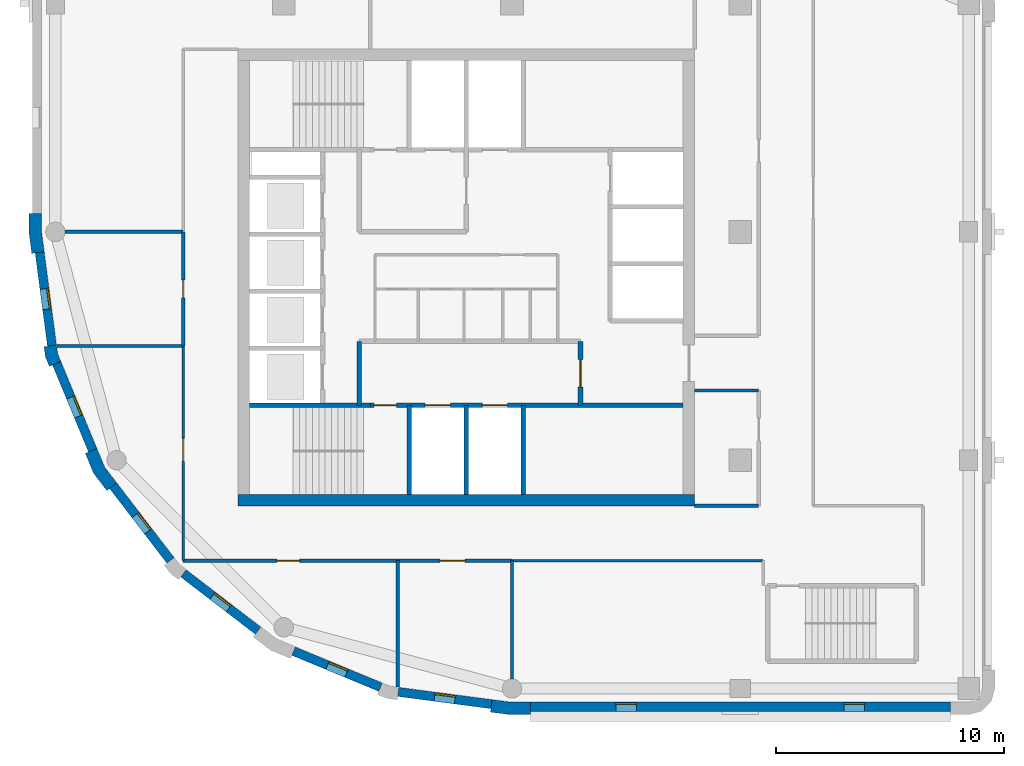
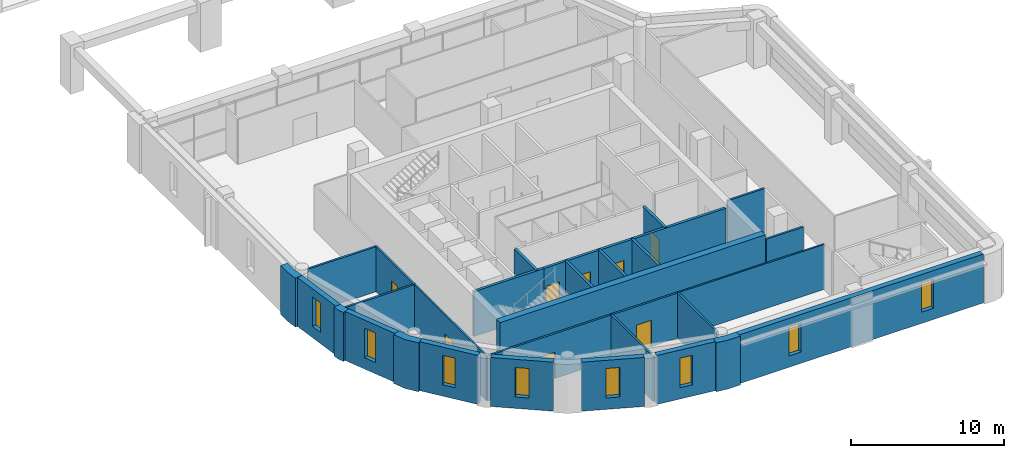
# One storey, part 5 of 11: 29 walls, 8 doors, 8 windows, 16 openings.
"""IFC4 building model written with IfcOpenShell, lengths in metres."""

from ifc_helpers import new_model, si_unit, direction, frame, frame_2d, origin, place, context, subcontext, project, spatial, polyline, rectangle, outline, extrude, material, layer, layer_set, type_object, element, fill, save


model = new_model("IFC4")

# Units and contexts
model_context = context("Model", 3, precision=1e-05, world=origin(), true_north=direction((0.0, 1.0)))
body_context = subcontext(model_context, "Body", "Model", "MODEL_VIEW")
ifc_project = project(units=[si_unit("LENGTHUNIT", "METRE"), si_unit("AREAUNIT", "SQUARE_METRE"), si_unit("VOLUMEUNIT", "CUBIC_METRE"), si_unit("PLANEANGLEUNIT", "RADIAN"), si_unit("MASSUNIT", "GRAM", prefix="KILO")], contexts=[model_context])

# Site, building, storey
site_placement = place(None, origin())
site = spatial("IfcSite", under=ifc_project, at=site_placement, CompositionType="ELEMENT")
building_placement = place(site_placement, origin())
building = spatial("IfcBuilding", under=site, at=building_placement, Name="Qaws Garden Tower", CompositionType="ELEMENT")
storey_placement = place(building_placement, frame((0.0, 0.0, 321.60009765625)))
storey = spatial("IfcBuildingStorey", under=building, at=storey_placement, Name="L78", CompositionType="ELEMENT", Elevation=321.60009765625)

# Wall, openings, windows
ifc_material_1 = material(Name="Clay facing brick masonry", Category="masonry")
ifc_layer_1 = layer(ifc_material_1, 0.39990234375)
ifc_layer_set_1 = layer_set([ifc_layer_1], Name="Clay facing brick masonry")
wall_type_1 = type_object("IfcWallType", Name="Brick infill wall 400", PredefinedType="SOLIDWALL", material=ifc_layer_set_1)
wall_1_placement = place(storey_placement, frame((20.800048828125, -0.800048828125, 0.0), z_axis=(0.0, 0.0, 1.0), x_axis=(1.0, 0.0, 0.0)))
wall_1 = element("IfcWall", 1, at=wall_1_placement, inside=storey, type_object=wall_type_1, Name="E-L78-infill-00", PredefinedType="SOLIDWALL", context=body_context, shape_type="SweptSolid", body=[
    extrude(rectangle(XDim=18.39990234375, YDim=0.39990234375, at=frame_2d((9.199951171875, 0.0))), origin(), (0.0, 0.0, 1.0), 3.89990234375),
])
opening_1_placement = place(wall_1_placement, frame((3.75, 0.0, 0.89990234375)))
opening_1 = element("IfcOpeningElement", 2, at=opening_1_placement, cuts=wall_1, Name="Opening W09", PredefinedType="OPENING", context=body_context, shape_type="SweptSolid", body=[
    extrude(rectangle(XDim=0.89990234375, YDim=2.35009765625, at=frame_2d((0.449951171875, 1.175048828125))), frame((0.0, 0.2099609375, 0.0), z_axis=(0.0, -1.0, 0.0), x_axis=(1.0, 0.0, 0.0)), (0.0, 0.0, 1.0), 0.419921875),
])
opening_2_placement = place(wall_1_placement, frame((13.75, 0.0, 0.89990234375)))
opening_2 = element("IfcOpeningElement", 3, at=opening_2_placement, cuts=wall_1, Name="Opening W09", PredefinedType="OPENING", context=body_context, shape_type="SweptSolid", body=[
    extrude(rectangle(XDim=0.89990234375, YDim=2.35009765625, at=frame_2d((0.449951171875, 1.175048828125))), frame((0.0, 0.2099609375, 0.0), z_axis=(0.0, -1.0, 0.0), x_axis=(1.0, 0.0, 0.0)), (0.0, 0.0, 1.0), 0.419921875),
])
ifc_material_2 = material(Name="Aluminium framed window, clear glazing", Category="aluminium")
window_type = type_object("IfcWindowType", Name="Slit window 900 x 2350", PartitioningType="SINGLE_PANEL", PredefinedType="WINDOW", material=ifc_material_2)
window_1_placement = place(opening_1_placement, origin())
window_1 = element("IfcWindow", 4, at=window_1_placement, inside=storey, type_object=window_type, Name="E-L78-window-00-0", OverallHeight=2.35009765625, OverallWidth=0.89990234375, PartitioningType="SINGLE_PANEL", PredefinedType="WINDOW", context=body_context, shape_type="SweptSolid", body=[
    extrude(rectangle(XDim=0.89990234375, YDim=2.35009765625, at=frame_2d((0.449951171875, 1.175048828125))), frame((0.0, 0.159912109375, 0.0), z_axis=(0.0, -1.0, 0.0), x_axis=(1.0, 0.0, 0.0)), (0.0, 0.0, 1.0), 0.06005859375),
])
fill(opening_1, window_1)
window_2_placement = place(opening_2_placement, origin())
window_2 = element("IfcWindow", 5, at=window_2_placement, inside=storey, type_object=window_type, Name="E-L78-window-01-0", OverallHeight=2.35009765625, OverallWidth=0.89990234375, PartitioningType="SINGLE_PANEL", PredefinedType="WINDOW", context=body_context, shape_type="SweptSolid", body=[
    extrude(rectangle(XDim=0.89990234375, YDim=2.35009765625, at=frame_2d((0.449951171875, 1.175048828125))), frame((0.0, 0.159912109375, 0.0), z_axis=(0.0, -1.0, 0.0), x_axis=(1.0, 0.0, 0.0)), (0.0, 0.0, 1.0), 0.06005859375),
])
fill(opening_2, window_2)

# Wall, opening, window
wall_2_placement = place(storey_placement, frame((-0.688720703125, 19.102294921875, 0.0), z_axis=(0.0, 0.0, 1.0), x_axis=(0.130514280502, -0.991446429508, 0.0)))
wall_2 = element("IfcWall", 6, at=wall_2_placement, inside=storey, type_object=wall_type_1, Name="E-L78-infill-21", PredefinedType="SOLIDWALL", context=body_context, shape_type="SweptSolid", body=[
    extrude(rectangle(XDim=4.120849609375, YDim=0.39990234375, at=frame_2d((2.060546875, 0.0))), origin(), (0.0, 0.0, 1.0), 3.89990234375),
])
opening_3_placement = place(wall_2_placement, frame((1.610595703125, 0.0, 0.89990234375)))
opening_3 = element("IfcOpeningElement", 7, at=opening_3_placement, cuts=wall_2, Name="Opening W09", PredefinedType="OPENING", context=body_context, shape_type="SweptSolid", body=[
    extrude(rectangle(XDim=0.89990234375, YDim=2.35009765625, at=frame_2d((0.449951171875, 1.175048828125))), frame((0.0, 0.2099609375, 0.0), z_axis=(0.0, -1.0, 0.0), x_axis=(1.0, 0.0, 0.0)), (0.0, 0.0, 1.0), 0.419921875),
])
window_3_placement = place(opening_3_placement, origin())
window_3 = element("IfcWindow", 8, at=window_3_placement, inside=storey, type_object=window_type, Name="E-L78-window-21-0", OverallHeight=2.35009765625, OverallWidth=0.89990234375, PartitioningType="SINGLE_PANEL", PredefinedType="WINDOW", context=body_context, shape_type="SweptSolid", body=[
    extrude(rectangle(XDim=0.89990234375, YDim=2.35009765625, at=frame_2d((0.449951171875, 1.175048828125))), frame((0.0, 0.159912109375, 0.0), z_axis=(0.0, -1.0, 0.0), x_axis=(1.0, 0.0, 0.0)), (0.0, 0.0, 1.0), 0.06005859375),
])
fill(opening_3, window_3)

wall_3_placement = place(storey_placement, frame((0.05712890625, 14.240234375, 0.0), z_axis=(0.0, 0.0, 1.0), x_axis=(0.382721546029, -0.923863744394, 0.0)))
wall_3 = element("IfcWall", 9, at=wall_3_placement, inside=storey, type_object=wall_type_1, Name="E-L78-infill-22", PredefinedType="SOLIDWALL", context=body_context, shape_type="SweptSolid", body=[
    extrude(rectangle(XDim=4.120849609375, YDim=0.39990234375, at=frame_2d((2.060546875, 0.0))), origin(), (0.0, 0.0, 1.0), 3.89990234375),
])
opening_4_placement = place(wall_3_placement, frame((1.610595703125, 0.0, 0.89990234375)))
opening_4 = element("IfcOpeningElement", 10, at=opening_4_placement, cuts=wall_3, Name="Opening W09", PredefinedType="OPENING", context=body_context, shape_type="SweptSolid", body=[
    extrude(rectangle(XDim=0.89990234375, YDim=2.35009765625, at=frame_2d((0.449951171875, 1.175048828125))), frame((0.0, 0.2099609375, 0.0), z_axis=(0.0, -1.0, 0.0), x_axis=(1.0, 0.0, 0.0)), (0.0, 0.0, 1.0), 0.419921875),
])
window_4_placement = place(opening_4_placement, origin())
window_4 = element("IfcWindow", 11, at=window_4_placement, inside=storey, type_object=window_type, Name="E-L78-window-22-0", OverallHeight=2.35009765625, OverallWidth=0.89990234375, PartitioningType="SINGLE_PANEL", PredefinedType="WINDOW", context=body_context, shape_type="SweptSolid", body=[
    extrude(rectangle(XDim=0.89990234375, YDim=2.35009765625, at=frame_2d((0.449951171875, 1.175048828125))), frame((0.0, 0.159912109375, 0.0), z_axis=(0.0, -1.0, 0.0), x_axis=(1.0, 0.0, 0.0)), (0.0, 0.0, 1.0), 0.06005859375),
])
fill(opening_4, window_4)

wall_4_placement = place(storey_placement, frame((2.53173828125, 8.87841796875, 0.0), z_axis=(0.0, 0.0, 1.0), x_axis=(0.608759824817, -0.793354571229, 0.0)))
wall_4 = element("IfcWall", 12, at=wall_4_placement, inside=storey, type_object=wall_type_1, Name="E-L78-infill-23", PredefinedType="SOLIDWALL", context=body_context, shape_type="SweptSolid", body=[
    extrude(rectangle(XDim=4.12109375, YDim=0.39990234375, at=frame_2d((2.060546875, 0.0))), origin(), (0.0, 0.0, 1.0), 3.89990234375),
])
opening_5_placement = place(wall_4_placement, frame((1.610595703125, 0.0, 0.89990234375)))
opening_5 = element("IfcOpeningElement", 13, at=opening_5_placement, cuts=wall_4, Name="Opening W09", PredefinedType="OPENING", context=body_context, shape_type="SweptSolid", body=[
    extrude(rectangle(XDim=0.89990234375, YDim=2.35009765625, at=frame_2d((0.449951171875, 1.175048828125))), frame((0.0, 0.2099609375, 0.0), z_axis=(0.0, -1.0, 0.0), x_axis=(1.0, 0.0, 0.0)), (0.0, 0.0, 1.0), 0.419921875),
])
window_5_placement = place(opening_5_placement, origin())
window_5 = element("IfcWindow", 14, at=window_5_placement, inside=storey, type_object=window_type, Name="E-L78-window-23-0", OverallHeight=2.35009765625, OverallWidth=0.89990234375, PartitioningType="SINGLE_PANEL", PredefinedType="WINDOW", context=body_context, shape_type="SweptSolid", body=[
    extrude(rectangle(XDim=0.89990234375, YDim=2.35009765625, at=frame_2d((0.449951171875, 1.175048828125))), frame((0.0, 0.159912109375, 0.0), z_axis=(0.0, -1.0, 0.0), x_axis=(1.0, 0.0, 0.0)), (0.0, 0.0, 1.0), 0.06005859375),
])
fill(opening_5, window_5)

wall_5_placement = place(storey_placement, frame((5.60888671875, 5.04052734375, 0.0), z_axis=(0.0, 0.0, 1.0), x_axis=(0.793354571229, -0.608759824817, 0.0)))
wall_5 = element("IfcWall", 15, at=wall_5_placement, inside=storey, type_object=wall_type_1, Name="E-L78-infill-24", PredefinedType="SOLIDWALL", context=body_context, shape_type="SweptSolid", body=[
    extrude(rectangle(XDim=4.12109375, YDim=0.39990234375, at=frame_2d((2.060546875, 0.0))), origin(), (0.0, 0.0, 1.0), 3.89990234375),
])
opening_6_placement = place(wall_5_placement, frame((1.610595703125, 0.0, 0.89990234375)))
opening_6 = element("IfcOpeningElement", 16, at=opening_6_placement, cuts=wall_5, Name="Opening W09", PredefinedType="OPENING", context=body_context, shape_type="SweptSolid", body=[
    extrude(rectangle(XDim=0.89990234375, YDim=2.35009765625, at=frame_2d((0.449951171875, 1.175048828125))), frame((0.0, 0.2099609375, 0.0), z_axis=(0.0, -1.0, 0.0), x_axis=(1.0, 0.0, 0.0)), (0.0, 0.0, 1.0), 0.419921875),
])
window_6_placement = place(opening_6_placement, origin())
window_6 = element("IfcWindow", 17, at=window_6_placement, inside=storey, type_object=window_type, Name="E-L78-window-24-0", OverallHeight=2.35009765625, OverallWidth=0.89990234375, PartitioningType="SINGLE_PANEL", PredefinedType="WINDOW", context=body_context, shape_type="SweptSolid", body=[
    extrude(rectangle(XDim=0.89990234375, YDim=2.35009765625, at=frame_2d((0.449951171875, 1.175048828125))), frame((0.0, 0.159912109375, 0.0), z_axis=(0.0, -1.0, 0.0), x_axis=(1.0, 0.0, 0.0)), (0.0, 0.0, 1.0), 0.06005859375),
])
fill(opening_6, window_6)

wall_6_placement = place(storey_placement, frame((10.43310546875, 1.63427734375, 0.0), z_axis=(0.0, 0.0, 1.0), x_axis=(0.923863744394, -0.382721546029, 0.0)))
wall_6 = element("IfcWall", 18, at=wall_6_placement, inside=storey, type_object=wall_type_1, Name="E-L78-infill-25", PredefinedType="SOLIDWALL", context=body_context, shape_type="SweptSolid", body=[
    extrude(rectangle(XDim=4.120849609375, YDim=0.39990234375, at=frame_2d((2.060546875, 0.0))), origin(), (0.0, 0.0, 1.0), 3.89990234375),
])
opening_7_placement = place(wall_6_placement, frame((1.610595703125, 0.0, 0.89990234375)))
opening_7 = element("IfcOpeningElement", 19, at=opening_7_placement, cuts=wall_6, Name="Opening W09", PredefinedType="OPENING", context=body_context, shape_type="SweptSolid", body=[
    extrude(rectangle(XDim=0.89990234375, YDim=2.35009765625, at=frame_2d((0.449951171875, 1.175048828125))), frame((0.0, 0.2099609375, 0.0), z_axis=(0.0, -1.0, 0.0), x_axis=(1.0, 0.0, 0.0)), (0.0, 0.0, 1.0), 0.419921875),
])
window_7_placement = place(opening_7_placement, origin())
window_7 = element("IfcWindow", 20, at=window_7_placement, inside=storey, type_object=window_type, Name="E-L78-window-25-0", OverallHeight=2.35009765625, OverallWidth=0.89990234375, PartitioningType="SINGLE_PANEL", PredefinedType="WINDOW", context=body_context, shape_type="SweptSolid", body=[
    extrude(rectangle(XDim=0.89990234375, YDim=2.35009765625, at=frame_2d((0.449951171875, 1.175048828125))), frame((0.0, 0.159912109375, 0.0), z_axis=(0.0, -1.0, 0.0), x_axis=(1.0, 0.0, 0.0)), (0.0, 0.0, 1.0), 0.06005859375),
])
fill(opening_7, window_7)

wall_7_placement = place(storey_placement, frame((15.0166015625, -0.15087890625, 0.0), z_axis=(0.0, 0.0, 1.0), x_axis=(0.991446429508, -0.130514280502, 0.0)))
wall_7 = element("IfcWall", 21, at=wall_7_placement, inside=storey, type_object=wall_type_1, Name="E-L78-infill-26", PredefinedType="SOLIDWALL", context=body_context, shape_type="SweptSolid", body=[
    extrude(rectangle(XDim=4.120849609375, YDim=0.39990234375, at=frame_2d((2.060546875, 0.0))), origin(), (0.0, 0.0, 1.0), 3.89990234375),
])
opening_8_placement = place(wall_7_placement, frame((1.610595703125, 0.0, 0.89990234375)))
opening_8 = element("IfcOpeningElement", 22, at=opening_8_placement, cuts=wall_7, Name="Opening W09", PredefinedType="OPENING", context=body_context, shape_type="SweptSolid", body=[
    extrude(rectangle(XDim=0.89990234375, YDim=2.35009765625, at=frame_2d((0.449951171875, 1.175048828125))), frame((0.0, 0.2099609375, 0.0), z_axis=(0.0, -1.0, 0.0), x_axis=(1.0, 0.0, 0.0)), (0.0, 0.0, 1.0), 0.419921875),
])
window_8_placement = place(opening_8_placement, origin())
window_8 = element("IfcWindow", 23, at=window_8_placement, inside=storey, type_object=window_type, Name="E-L78-window-26-0", OverallHeight=2.35009765625, OverallWidth=0.89990234375, PartitioningType="SINGLE_PANEL", PredefinedType="WINDOW", context=body_context, shape_type="SweptSolid", body=[
    extrude(rectangle(XDim=0.89990234375, YDim=2.35009765625, at=frame_2d((0.449951171875, 1.175048828125))), frame((0.0, 0.159912109375, 0.0), z_axis=(0.0, -1.0, 0.0), x_axis=(1.0, 0.0, 0.0)), (0.0, 0.0, 1.0), 0.06005859375),
])
fill(opening_8, window_8)

# Walls
ifc_material_3 = material(Name="Clay facing brick masonry", Category="masonry")
ifc_layer_2 = layer(ifc_material_3, 0.550048828125)
ifc_layer_set_2 = layer_set([ifc_layer_2], Name="Clay facing brick masonry")
wall_type_2 = type_object("IfcWallType", Name="Brick kink pier 550 x 600", PredefinedType="SOLIDWALL", material=ifc_layer_set_2)
placement = place(storey_placement, origin())
element("IfcWall", 24, at=placement, inside=storey, type_object=wall_type_2, Name="E-L78-pier-22", PredefinedType="SOLIDWALL", context=body_context, shape_type="SweptSolid", body=[
    extrude(outline(polyline([(-0.34912109375, 14.990478515625), (-0.497802734375, 14.970947265625), (-0.43896484375, 14.5234375), (-0.26611328125, 14.1064453125), (-0.127685546875, 14.163818359375), (0.241943359375, 14.31689453125), (0.096923828125, 14.6669921875), (0.04736328125, 15.042724609375), (-0.34912109375, 14.990478515625)])), origin(), (0.0, 0.0, 1.0), 3.89990234375),
])
ifc_material_4 = material(Name="Clay facing brick masonry", Category="masonry")
ifc_layer_3 = layer(ifc_material_4, 0.550048828125)
ifc_layer_set_3 = layer_set([ifc_layer_3], Name="Clay facing brick masonry")
wall_type_3 = type_object("IfcWallType", Name="Brick pier 550 x 1600", PredefinedType="SOLIDWALL", material=ifc_layer_set_3)
element("IfcWall", 25, at=placement, inside=storey, type_object=wall_type_3, Name="E-L78-pier-00", PredefinedType="SOLIDWALL", context=body_context, shape_type="SweptSolid", body=[
    extrude(outline(polyline([(19.076416015625, -0.886962890625), (19.056640625, -1.03564453125), (19.924560546875, -1.14990234375), (20.800048828125, -1.14990234375), (20.800048828125, -1.0), (20.800048828125, -0.60009765625), (19.960693359375, -0.60009765625), (19.12841796875, -0.490478515625), (19.076416015625, -0.886962890625)])), origin(), (0.0, 0.0, 1.0), 3.89990234375),
])
element("IfcWall", 26, at=placement, inside=storey, type_object=wall_type_3, Name="E-L78-pier-21", PredefinedType="SOLIDWALL", context=body_context, shape_type="SweptSolid", body=[
    extrude(outline(polyline([(-1.0, 20.800048828125), (-1.14990234375, 20.800048828125), (-1.14990234375, 19.924560546875), (-1.03564453125, 19.056640625), (-0.886962890625, 19.076416015625), (-0.490478515625, 19.12841796875), (-0.60009765625, 19.960693359375), (-0.60009765625, 20.800048828125), (-1.0, 20.800048828125)])), origin(), (0.0, 0.0, 1.0), 3.89990234375),
])
element("IfcWall", 27, at=placement, inside=storey, type_object=wall_type_3, Name="E-L78-pier-23", PredefinedType="SOLIDWALL", context=body_context, shape_type="SweptSolid", body=[
    extrude(outline(polyline([(1.449462890625, 10.3564453125), (1.310791015625, 10.299072265625), (1.675048828125, 9.419921875), (2.254150390625, 8.665283203125), (2.373046875, 8.756591796875), (2.6904296875, 9.0), (2.1552734375, 9.697509765625), (1.819091796875, 10.509521484375), (1.449462890625, 10.3564453125)])), origin(), (0.0, 0.0, 1.0), 3.89990234375),
])
ifc_material_5 = material(Name="Concrete C60", Category="concrete")
ifc_layer_4 = layer(ifc_material_5, 0.199951171875)
ifc_layer_set_4 = layer_set([ifc_layer_4], Name="Concrete C60")
wall_type_4 = type_object("IfcWallType", Name="Core shaft wall 200 C60", PredefinedType="SHEAR", material=ifc_layer_set_4)
wall_12_placement = place(storey_placement, frame((8.5, 12.39990234375, 0.0), z_axis=(0.0, 0.0, 1.0), x_axis=(1.0, 0.0, 0.0)))
element("IfcWall", 28, at=wall_12_placement, inside=storey, type_object=wall_type_4, Name="Shaft wall", PredefinedType="SHEAR", context=body_context, shape_type="SweptSolid", body=[
    extrude(rectangle(XDim=5.300048828125, YDim=0.199951171875, at=frame_2d((2.64990234375, 0.0))), origin(), (0.0, 0.0, 1.0), 3.579833984375),
])

# Wall, openings, doors
wall_13_placement = place(storey_placement, frame((13.800048828125, 12.39990234375, 0.0), z_axis=(0.0, 0.0, 1.0), x_axis=(1.0, 0.0, 0.0)))
wall_13 = element("IfcWall", 29, at=wall_13_placement, inside=storey, type_object=wall_type_4, Name="Shaft wall", PredefinedType="SHEAR", context=body_context, shape_type="SweptSolid", body=[
    extrude(rectangle(XDim=13.699951171875, YDim=0.199951171875, at=frame_2d((6.85009765625, 0.0))), origin(), (0.0, 0.0, 1.0), 3.579833984375),
])
opening_9_placement = place(wall_13_placement, frame((2.39990234375, 0.0, 0.0)))
opening_9 = element("IfcOpeningElement", 30, at=opening_9_placement, cuts=wall_13, Name="Opening LD06", PredefinedType="OPENING", context=body_context, shape_type="SweptSolid", body=[
    extrude(rectangle(XDim=1.10009765625, YDim=2.10009765625, at=frame_2d((0.550048828125, 1.050048828125))), frame((0.0, 0.10986328125, 0.0), z_axis=(0.0, -1.0, 0.0), x_axis=(1.0, 0.0, 0.0)), (0.0, 0.0, 1.0), 0.219970703125),
])
opening_10_placement = place(wall_13_placement, frame((4.89990234375, 0.0, 0.0)))
opening_10 = element("IfcOpeningElement", 31, at=opening_10_placement, cuts=wall_13, Name="Opening LD07", PredefinedType="OPENING", context=body_context, shape_type="SweptSolid", body=[
    extrude(rectangle(XDim=1.10009765625, YDim=2.10009765625, at=frame_2d((0.550048828125, 1.050048828125))), frame((0.0, 0.10986328125, 0.0), z_axis=(0.0, -1.0, 0.0), x_axis=(1.0, 0.0, 0.0)), (0.0, 0.0, 1.0), 0.219970703125),
])
opening_11_placement = place(wall_13_placement, frame((0.14990234375, 0.0, 0.0)))
opening_11 = element("IfcOpeningElement", 32, at=opening_11_placement, cuts=wall_13, Name="Opening SD10", PredefinedType="OPENING", context=body_context, shape_type="SweptSolid", body=[
    extrude(rectangle(XDim=1.0, YDim=2.10009765625, at=frame_2d((0.5, 1.050048828125))), frame((0.0, 0.10986328125, 0.0), z_axis=(0.0, -1.0, 0.0), x_axis=(1.0, 0.0, 0.0)), (0.0, 0.0, 1.0), 0.219970703125),
])
ifc_material_6 = material(Name="Steel S235", Category="steel")
door_type_1 = type_object("IfcDoorType", Name="Landing door 1100x2100", OperationType="DOUBLE_DOOR_SLIDING", PredefinedType="DOOR", material=ifc_material_6)
door_1_placement = place(opening_9_placement, origin())
door_1 = element("IfcDoor", 33, at=door_1_placement, inside=storey, type_object=door_type_1, Name="Lift FF1 landing door", OperationType="DOUBLE_DOOR_SLIDING", OverallHeight=2.10009765625, OverallWidth=1.10009765625, PredefinedType="DOOR", context=body_context, shape_type="SweptSolid", body=[
    extrude(rectangle(XDim=1.10009765625, YDim=2.10009765625, at=frame_2d((0.550048828125, 1.050048828125))), frame((0.0, 0.02490234375, 0.0), z_axis=(0.0, -1.0, 0.0), x_axis=(1.0, 0.0, 0.0)), (0.0, 0.0, 1.0), 0.050048828125),
])
fill(opening_9, door_1)
door_2_placement = place(opening_10_placement, origin())
door_2 = element("IfcDoor", 34, at=door_2_placement, inside=storey, type_object=door_type_1, Name="Lift FF2 landing door", OperationType="DOUBLE_DOOR_SLIDING", OverallHeight=2.10009765625, OverallWidth=1.10009765625, PredefinedType="DOOR", context=body_context, shape_type="SweptSolid", body=[
    extrude(rectangle(XDim=1.10009765625, YDim=2.10009765625, at=frame_2d((0.550048828125, 1.050048828125))), frame((0.0, 0.02490234375, 0.0), z_axis=(0.0, -1.0, 0.0), x_axis=(1.0, 0.0, 0.0)), (0.0, 0.0, 1.0), 0.050048828125),
])
fill(opening_10, door_2)
ifc_material_7 = material(Name="Steel S235", Category="steel")
door_type_2 = type_object("IfcDoorType", Name="Stair door 1000x2100", OperationType="SINGLE_SWING_RIGHT", PredefinedType="DOOR", material=ifc_material_7)
door_3_placement = place(opening_11_placement, frame((1.0, 0.0, 0.0), z_axis=(0.0, 0.0, 1.0), x_axis=(-1.0, 0.0, 0.0)))
door_3 = element("IfcDoor", 35, at=door_3_placement, inside=storey, type_object=door_type_2, Name="Stair 1 door", OperationType="SINGLE_SWING_LEFT", OverallHeight=2.10009765625, OverallWidth=1.0, PredefinedType="DOOR", context=body_context, shape_type="SweptSolid", body=[
    extrude(rectangle(XDim=1.0, YDim=2.10009765625, at=frame_2d((0.5, 1.050048828125))), frame((0.0, 0.02490234375, 0.0), z_axis=(0.0, -1.0, 0.0), x_axis=(1.0, 0.0, 0.0)), (0.0, 0.0, 1.0), 0.050048828125),
])
fill(opening_11, door_3)

# Walls
wall_14_placement = place(storey_placement, frame((13.300048828125, 12.39990234375, 0.0), z_axis=(0.0, 0.0, 1.0), x_axis=(0.0, 1.0, 0.0)))
element("IfcWall", 36, at=wall_14_placement, inside=storey, type_object=wall_type_4, Name="Shaft wall", PredefinedType="SHEAR", context=body_context, shape_type="SweptSolid", body=[
    extrude(rectangle(XDim=2.800048828125, YDim=0.199951171875, at=frame_2d((1.39990234375, 0.0))), origin(), (0.0, 0.0, 1.0), 3.579833984375),
])
for number, where, z_axis, x_axis, name in (
    (37, (15.5, 8.5, 0.0), (0.0, 0.0, 1.0), (0.0, 1.0, 0.0), "Shaft wall"),
    (38, (18.0, 8.5, 0.0), (0.0, 0.0, 1.0), (0.0, 1.0, 0.0), "Shaft wall"),
    (39, (20.5, 8.5, 0.0), (0.0, 0.0, 1.0), (0.0, 1.0, 0.0), "Shaft wall"),
):
    element("IfcWall", number, at=place(storey_placement, frame(where, z_axis=z_axis, x_axis=x_axis)), inside=storey, type_object=wall_type_4, Name=name, PredefinedType="SHEAR", context=body_context, shape_type="SweptSolid", body=[
        extrude(rectangle(XDim=3.89990234375, YDim=0.199951171875, at=frame_2d((1.949951171875, 0.0))), origin(), (0.0, 0.0, 1.0), 3.579833984375),
    ])

# Wall, opening, door
wall_15_placement = place(storey_placement, frame((23.0, 12.39990234375, 0.0), z_axis=(0.0, 0.0, 1.0), x_axis=(0.0, 1.0, 0.0)))
wall_15 = element("IfcWall", 40, at=wall_15_placement, inside=storey, type_object=wall_type_4, Name="Shaft wall", PredefinedType="SHEAR", context=body_context, shape_type="SweptSolid", body=[
    extrude(rectangle(XDim=2.800048828125, YDim=0.199951171875, at=frame_2d((1.39990234375, 0.0))), origin(), (0.0, 0.0, 1.0), 3.579833984375),
])
opening_12_placement = place(wall_15_placement, frame((0.800048828125, 0.0, 0.0)))
opening_12 = element("IfcOpeningElement", 41, at=opening_12_placement, cuts=wall_15, Name="Opening FD15", PredefinedType="OPENING", context=body_context, shape_type="SweptSolid", body=[
    extrude(rectangle(XDim=1.199951171875, YDim=2.10009765625, at=frame_2d((0.60009765625, 1.050048828125))), frame((0.0, 0.10986328125, 0.0), z_axis=(0.0, -1.0, 0.0), x_axis=(1.0, 0.0, 0.0)), (0.0, 0.0, 1.0), 0.219970703125),
])
ifc_material_8 = material(Name="Steel S235", Category="steel")
door_type_3 = type_object("IfcDoorType", Name="Lobby door 1200x2100", OperationType="DOUBLE_DOOR_SINGLE_SWING", PredefinedType="DOOR", material=ifc_material_8)
door_4_placement = place(opening_12_placement, origin())
door_4 = element("IfcDoor", 42, at=door_4_placement, inside=storey, type_object=door_type_3, Name="Fire-fighting lobby door", OperationType="DOUBLE_DOOR_SINGLE_SWING", OverallHeight=2.10009765625, OverallWidth=1.199951171875, PredefinedType="DOOR", context=body_context, shape_type="SweptSolid", body=[
    extrude(rectangle(XDim=1.199951171875, YDim=2.10009765625, at=frame_2d((0.60009765625, 1.050048828125))), frame((0.0, 0.02490234375, 0.0), z_axis=(0.0, -1.0, 0.0), x_axis=(1.0, 0.0, 0.0)), (0.0, 0.0, 1.0), 0.050048828125),
])
fill(opening_12, door_4)

# Wall
ifc_material_9 = material(Name="Concrete C60", Category="concrete")
ifc_layer_5 = layer(ifc_material_9, 0.5)
ifc_layer_set_5 = layer_set([ifc_layer_5], Name="Concrete C60")
wall_type_5 = type_object("IfcWallType", Name="Core wall 500 C60", PredefinedType="SHEAR", material=ifc_layer_set_5)
wall_16_placement = place(storey_placement, frame((8.0, 8.25, 0.0), z_axis=(0.0, 0.0, 1.0), x_axis=(1.0, 0.0, 0.0)))
element("IfcWall", 43, at=wall_16_placement, inside=storey, type_object=wall_type_5, Name="Core wall L78 south", PredefinedType="SHEAR", context=body_context, shape_type="SweptSolid", body=[
    extrude(rectangle(XDim=20.0, YDim=0.5, at=frame_2d((10.0, 0.0))), origin(), (0.0, 0.0, 1.0), 3.89990234375),
])

# Wall, opening, door
ifc_material_10 = material(Name="Glass and aluminium framing", Category="aluminium")
ifc_layer_6 = layer(ifc_material_10, 0.1201171875)
ifc_layer_set_6 = layer_set([ifc_layer_6], Name="Glass and aluminium framing")
wall_type_6 = type_object("IfcWallType", Name="GLAZED PARTITION 120 EI 30", PredefinedType="PARTITIONING", material=ifc_layer_set_6)
wall_17_placement = place(storey_placement, frame((5.60009765625, 5.60009765625, 0.0), z_axis=(0.0, 0.0, 1.0), x_axis=(0.0, 1.0, 0.0)))
wall_17 = element("IfcWall", 44, at=wall_17_placement, inside=storey, type_object=wall_type_6, Name="O-L78-wall-024", PredefinedType="PARTITIONING", context=body_context, shape_type="SweptSolid", body=[
    extrude(rectangle(XDim=9.39990234375, YDim=0.1201171875, at=frame_2d((4.699951171875, 0.0))), origin(), (0.0, 0.0, 1.0), 3.579833984375),
])
opening_13_placement = place(wall_17_placement, frame((4.35009765625, 0.0, 0.0)))
opening_13 = element("IfcOpeningElement", 45, at=opening_13_placement, cuts=wall_17, Name="Opening C801", PredefinedType="OPENING", context=body_context, shape_type="SweptSolid", body=[
    extrude(rectangle(XDim=1.0, YDim=2.10009765625, at=frame_2d((0.5, 1.050048828125))), frame((0.0, 0.070068359375, 0.0), z_axis=(0.0, -1.0, 0.0), x_axis=(1.0, 0.0, 0.0)), (0.0, 0.0, 1.0), 0.14013671875),
])
ifc_material_11 = material(Name="Timber door leaf", Category="wood")
door_type_4 = type_object("IfcDoorType", Name="TENANCY ENTRANCE DOOR 1000 X 2100", OperationType="SINGLE_SWING_LEFT", PredefinedType="DOOR", material=ifc_material_11)
door_5_placement = place(opening_13_placement, origin())
door_5 = element("IfcDoor", 46, at=door_5_placement, inside=storey, type_object=door_type_4, Name="O-L78-door-001", OperationType="SINGLE_SWING_RIGHT", OverallHeight=2.10009765625, OverallWidth=1.0, PredefinedType="DOOR", context=body_context, shape_type="SweptSolid", body=[
    extrude(rectangle(XDim=1.0, YDim=2.10009765625, at=frame_2d((0.5, 1.050048828125))), frame((0.0, 0.02490234375, 0.0), z_axis=(0.0, -1.0, 0.0), x_axis=(1.0, 0.0, 0.0)), (0.0, 0.0, 1.0), 0.050048828125),
])
fill(opening_13, door_5)

# Wall
wall_18_placement = place(storey_placement, frame((20.0, 5.60009765625, 0.0), z_axis=(0.0, 0.0, 1.0), x_axis=(1.0, 0.0, 0.0)))
element("IfcWall", 47, at=wall_18_placement, inside=storey, type_object=wall_type_6, Name="O-L78-wall-033", PredefinedType="PARTITIONING", context=body_context, shape_type="SweptSolid", body=[
    extrude(rectangle(XDim=11.0, YDim=0.1201171875, at=frame_2d((5.5, 0.0))), origin(), (0.0, 0.0, 1.0), 3.579833984375),
])

# Wall, opening, door
ifc_material_12 = material(Name="Gypsum board partition")
ifc_layer_7 = layer(ifc_material_12, 0.14990234375)
ifc_layer_set_7 = layer_set([ifc_layer_7], Name="Gypsum board partition")
wall_type_7 = type_object("IfcWallType", Name="PARTITION 150 EI 60", PredefinedType="PARTITIONING", material=ifc_layer_set_7)
wall_19_placement = place(storey_placement, frame((5.60009765625, 15.0, 0.0), z_axis=(0.0, 0.0, 1.0), x_axis=(0.0, 1.0, 0.0)))
wall_19 = element("IfcWall", 48, at=wall_19_placement, inside=storey, type_object=wall_type_7, Name="O-L78-wall-001", PredefinedType="PARTITIONING", context=body_context, shape_type="SweptSolid", body=[
    extrude(rectangle(XDim=5.0, YDim=0.14990234375, at=frame_2d((2.5, 0.0))), origin(), (0.0, 0.0, 1.0), 3.579833984375),
])
opening_14_placement = place(wall_19_placement, frame((2.10009765625, 0.0, 0.0)))
opening_14 = element("IfcOpeningElement", 49, at=opening_14_placement, cuts=wall_19, Name="Opening C802", PredefinedType="OPENING", context=body_context, shape_type="SweptSolid", body=[
    extrude(rectangle(XDim=0.800048828125, YDim=2.10009765625, at=frame_2d((0.39990234375, 1.050048828125))), frame((0.0, 0.0849609375, 0.0), z_axis=(0.0, -1.0, 0.0), x_axis=(1.0, 0.0, 0.0)), (0.0, 0.0, 1.0), 0.169921875),
])
ifc_material_13 = material(Name="Timber door leaf", Category="wood")
door_type_5 = type_object("IfcDoorType", Name="STORE DOOR 800 X 2100", OperationType="SINGLE_SWING_LEFT", PredefinedType="DOOR", material=ifc_material_13)
door_6_placement = place(opening_14_placement, origin())
door_6 = element("IfcDoor", 50, at=door_6_placement, inside=storey, type_object=door_type_5, Name="O-L78-door-002", OperationType="SINGLE_SWING_RIGHT", OverallHeight=2.10009765625, OverallWidth=0.800048828125, PredefinedType="DOOR", context=body_context, shape_type="SweptSolid", body=[
    extrude(rectangle(XDim=0.800048828125, YDim=2.10009765625, at=frame_2d((0.39990234375, 1.050048828125))), frame((0.0, 0.02490234375, 0.0), z_axis=(0.0, -1.0, 0.0), x_axis=(1.0, 0.0, 0.0)), (0.0, 0.0, 1.0), 0.050048828125),
])
fill(opening_14, door_6)

# Walls
wall_20_placement = place(storey_placement, frame((15.0, 0.06298828125, 0.0), z_axis=(0.0, 0.0, 1.0), x_axis=(0.0, 1.0, 0.0)))
element("IfcWall", 51, at=wall_20_placement, inside=storey, type_object=wall_type_7, Name="O-L78-wall-003", PredefinedType="PARTITIONING", context=body_context, shape_type="SweptSolid", body=[
    extrude(rectangle(XDim=5.537109375, YDim=0.14990234375, at=frame_2d((2.7685546875, 0.0))), origin(), (0.0, 0.0, 1.0), 3.579833984375),
])
wall_21_placement = place(storey_placement, frame((20.0, 0.425048828125, 0.0), z_axis=(0.0, 0.0, 1.0), x_axis=(0.0, 1.0, 0.0)))
element("IfcWall", 52, at=wall_21_placement, inside=storey, type_object=wall_type_7, Name="O-L78-wall-004", PredefinedType="PARTITIONING", context=body_context, shape_type="SweptSolid", body=[
    extrude(rectangle(XDim=5.175048828125, YDim=0.14990234375, at=frame_2d((2.58740234375, 0.0))), origin(), (0.0, 0.0, 1.0), 3.579833984375),
])

# Wall, openings, doors
wall_22_placement = place(storey_placement, frame((5.60009765625, 5.60009765625, 0.0), z_axis=(0.0, 0.0, 1.0), x_axis=(1.0, 0.0, 0.0)))
wall_22 = element("IfcWall", 53, at=wall_22_placement, inside=storey, type_object=wall_type_7, Name="O-L78-wall-012", PredefinedType="PARTITIONING", context=body_context, shape_type="SweptSolid", body=[
    extrude(rectangle(XDim=14.39990234375, YDim=0.14990234375, at=frame_2d((7.199951171875, 0.0))), origin(), (0.0, 0.0, 1.0), 3.579833984375),
])
opening_15_placement = place(wall_22_placement, frame((4.10009765625, 0.0, 0.0)))
opening_15 = element("IfcOpeningElement", 54, at=opening_15_placement, cuts=wall_22, Name="Opening C806", PredefinedType="OPENING", context=body_context, shape_type="SweptSolid", body=[
    extrude(rectangle(XDim=1.0, YDim=2.10009765625, at=frame_2d((0.5, 1.050048828125))), frame((0.0, 0.0849609375, 0.0), z_axis=(0.0, -1.0, 0.0), x_axis=(1.0, 0.0, 0.0)), (0.0, 0.0, 1.0), 0.169921875),
])
opening_16_placement = place(wall_22_placement, frame((11.25, 0.0, 0.0)))
opening_16 = element("IfcOpeningElement", 55, at=opening_16_placement, cuts=wall_22, Name="Opening C807", PredefinedType="OPENING", context=body_context, shape_type="SweptSolid", body=[
    extrude(rectangle(XDim=1.10009765625, YDim=2.10009765625, at=frame_2d((0.550048828125, 1.050048828125))), frame((0.0, 0.0849609375, 0.0), z_axis=(0.0, -1.0, 0.0), x_axis=(1.0, 0.0, 0.0)), (0.0, 0.0, 1.0), 0.169921875),
])
ifc_material_14 = material(Name="Timber door leaf", Category="wood")
door_type_6 = type_object("IfcDoorType", Name="SERVICE ROOM DOOR 1100 X 2100", OperationType="SINGLE_SWING_LEFT", PredefinedType="DOOR", material=ifc_material_14)
door_7_placement = place(opening_16_placement, frame((1.10009765625, 0.0, 0.0), z_axis=(0.0, 0.0, 1.0), x_axis=(-1.0, 0.0, 0.0)))
door_7 = element("IfcDoor", 56, at=door_7_placement, inside=storey, type_object=door_type_6, Name="O-L78-door-007", OperationType="SINGLE_SWING_LEFT", OverallHeight=2.10009765625, OverallWidth=1.10009765625, PredefinedType="DOOR", context=body_context, shape_type="SweptSolid", body=[
    extrude(rectangle(XDim=1.10009765625, YDim=2.10009765625, at=frame_2d((0.550048828125, 1.050048828125))), frame((0.0, 0.02490234375, 0.0), z_axis=(0.0, -1.0, 0.0), x_axis=(1.0, 0.0, 0.0)), (0.0, 0.0, 1.0), 0.050048828125),
])
fill(opening_16, door_7)
door_8_placement = place(opening_15_placement, frame((1.0, 0.0, 0.0), z_axis=(0.0, 0.0, 1.0), x_axis=(-1.0, 0.0, 0.0)))
door_8 = element("IfcDoor", 57, at=door_8_placement, inside=storey, type_object=door_type_4, Name="O-L78-door-006", OperationType="SINGLE_SWING_LEFT", OverallHeight=2.10009765625, OverallWidth=1.0, PredefinedType="DOOR", context=body_context, shape_type="SweptSolid", body=[
    extrude(rectangle(XDim=1.0, YDim=2.10009765625, at=frame_2d((0.5, 1.050048828125))), frame((0.0, 0.02490234375, 0.0), z_axis=(0.0, -1.0, 0.0), x_axis=(1.0, 0.0, 0.0)), (0.0, 0.0, 1.0), 0.050048828125),
])
fill(opening_15, door_8)

# Walls
for number, where, z_axis, x_axis, name in (
    (58, (28.0, 8.0, 0.0), (0.0, 0.0, 1.0), (1.0, 0.0, 0.0), "O-L78-wall-013"),
    (59, (28.0, 13.050048828125, 0.0), (0.0, 0.0, 1.0), (1.0, 0.0, 0.0), "O-L78-wall-014"),
):
    element("IfcWall", number, at=place(storey_placement, frame(where, z_axis=z_axis, x_axis=x_axis)), inside=storey, type_object=wall_type_7, Name=name, PredefinedType="PARTITIONING", context=body_context, shape_type="SweptSolid", body=[
        extrude(rectangle(XDim=2.800048828125, YDim=0.14990234375, at=frame_2d((1.39990234375, 0.0))), origin(), (0.0, 0.0, 1.0), 3.579833984375),
    ])
wall_23_placement = place(storey_placement, frame((0.06298828125, 15.0, 0.0), z_axis=(0.0, 0.0, 1.0), x_axis=(1.0, 0.0, 0.0)))
element("IfcWall", 60, at=wall_23_placement, inside=storey, type_object=wall_type_7, Name="O-L78-wall-015", PredefinedType="PARTITIONING", context=body_context, shape_type="SweptSolid", body=[
    extrude(rectangle(XDim=5.537109375, YDim=0.14990234375, at=frame_2d((2.7685546875, 0.0))), origin(), (0.0, 0.0, 1.0), 3.579833984375),
])
wall_24_placement = place(storey_placement, frame((0.425048828125, 20.0, 0.0), z_axis=(0.0, 0.0, 1.0), x_axis=(1.0, 0.0, 0.0)))
element("IfcWall", 61, at=wall_24_placement, inside=storey, type_object=wall_type_7, Name="O-L78-wall-017", PredefinedType="PARTITIONING", context=body_context, shape_type="SweptSolid", body=[
    extrude(rectangle(XDim=5.175048828125, YDim=0.14990234375, at=frame_2d((2.58740234375, 0.0))), origin(), (0.0, 0.0, 1.0), 3.579833984375),
])

save(model, "model.ifc")
